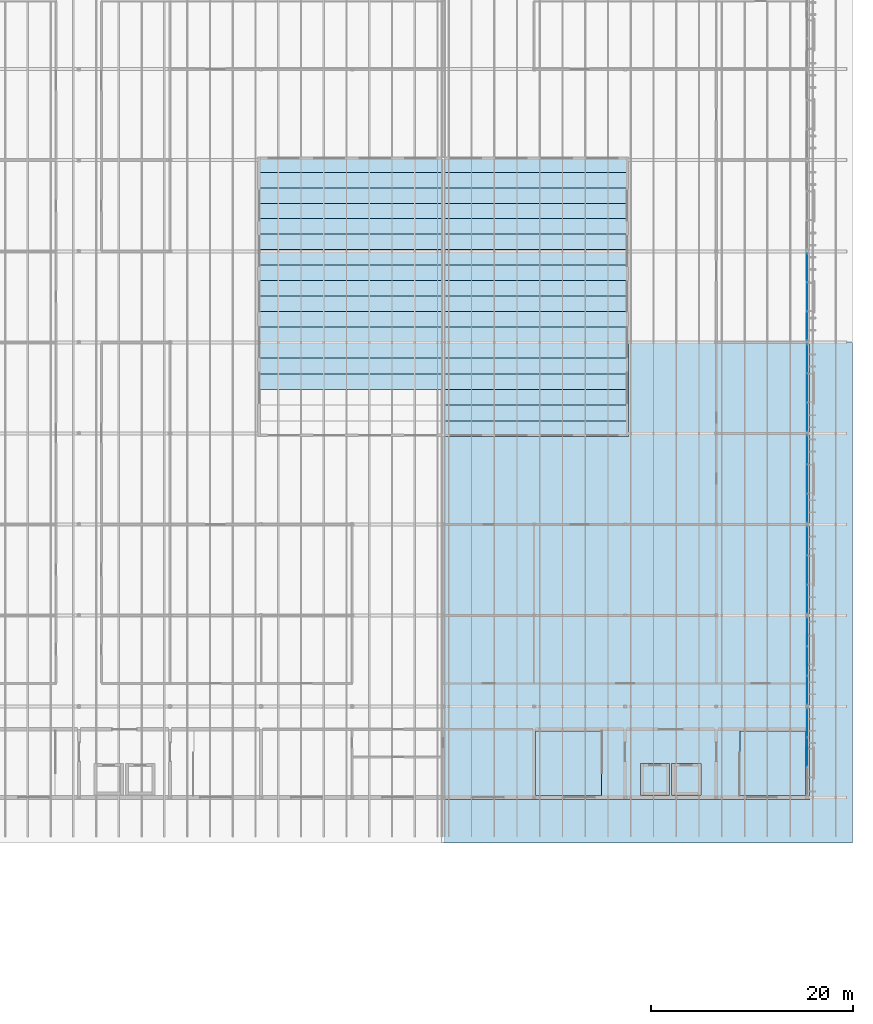
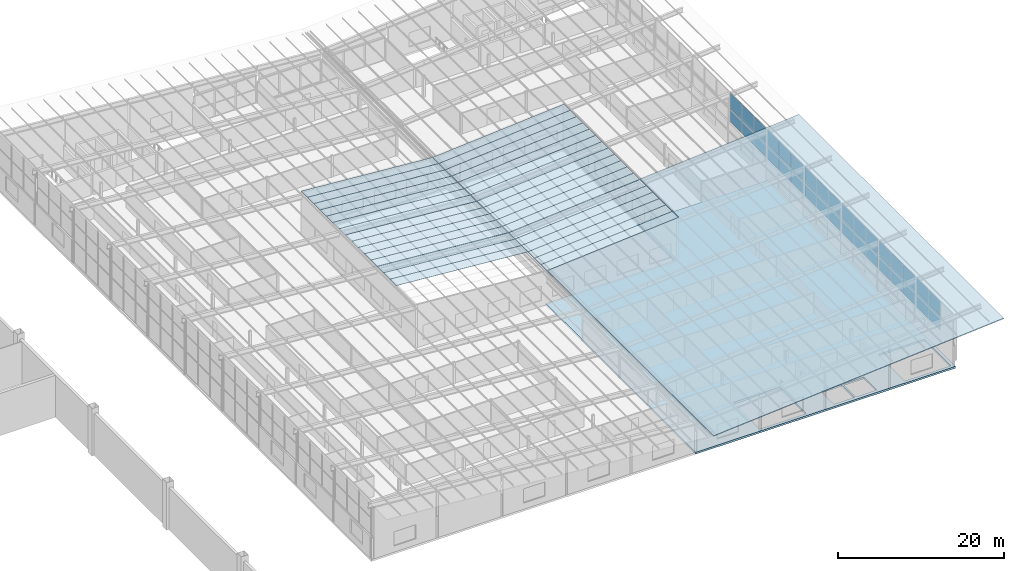
# One storey, part 67 of 85: 35 slabs, 34 plates, 6 elements without a shape of their own.
"""IFC4 building model written with IfcOpenShell, lengths in metres."""

from ifc_helpers import new_model, si_unit, direction, frame, origin, origin_2d, place, context, subcontext, project, spatial, polyline, rectangle, outline, extrude, material, layer, layer_set, type_object, element, aggregate, save


model = new_model("IFC4")

# Units and contexts
model_context = context("Model", 3, precision=1e-05, world=origin(), true_north=direction((0.0, 1.0)))
body_context = subcontext(model_context, "Body", "Model", "MODEL_VIEW")
ifc_project = project(units=[si_unit("LENGTHUNIT", "METRE"), si_unit("AREAUNIT", "SQUARE_METRE"), si_unit("VOLUMEUNIT", "CUBIC_METRE"), si_unit("PLANEANGLEUNIT", "RADIAN"), si_unit("MASSUNIT", "GRAM", prefix="KILO")], contexts=[model_context])

# Site, building, storey
site_placement = place(None, origin())
site = spatial("IfcSite", under=ifc_project, at=site_placement, CompositionType="ELEMENT")
building_placement = place(site_placement, origin())
building = spatial("IfcBuilding", under=site, at=building_placement, Name="Opaline Strait Convention Centre", CompositionType="ELEMENT")
storey_placement = place(building_placement, frame((0.0, 0.0, 17.0)))
storey = spatial("IfcBuildingStorey", under=building, at=storey_placement, Name="L03", CompositionType="ELEMENT", Elevation=17.0)

# Curtain wall, plates
ifc_material_1 = material(Name="Aluminium framed double glazing", Category="aluminium")
ifc_layer_1 = layer(ifc_material_1, 0.199951171875)
ifc_layer_set_1 = layer_set([ifc_layer_1], Name="Aluminium framed double glazing")
curtain_wall_type = type_object("IfcCurtainWallType", Name="Curtain wall 3000 module unitised", PredefinedType="NOTDEFINED", material=ifc_layer_set_1)
curtain_wall_1_placement = place(storey_placement, origin())
curtain_wall_1 = element("IfcCurtainWall", 1, at=curtain_wall_1_placement, inside=storey, type_object=curtain_wall_type, Name="Clerestory curtain wall E L03 41/L", PredefinedType="NOTDEFINED")
ifc_material_2 = material(Name="Double glazed unit low emissivity", Category="glass")
ifc_layer_2 = layer(ifc_material_2, 0.028076171875)
ifc_layer_set_2 = layer_set([ifc_layer_2], Name="Double glazed unit low emissivity")
plate_type = type_object("IfcPlateType", Name="Curtain wall glass panel 28", PredefinedType="CURTAIN_PANEL", material=ifc_layer_set_2)
plate_1_placement = place(storey_placement, frame((360.0, 94.5, 3.360107421875), z_axis=(0.0, 0.0, 1.0), x_axis=(0.0, 1.0, 0.0)))
plate_1 = element("IfcPlate", 2, at=plate_1_placement, type_object=plate_type, Name="MCWR1 panel 2.1", PredefinedType="CURTAIN_PANEL", context=body_context, shape_type="SweptSolid", body=[
    extrude(rectangle(XDim=2.840087890625, YDim=0.028076171875, at=origin_2d()), origin(), (0.0, 0.0, 1.0), 2.1279296875),
])
plate_2_placement = place(storey_placement, frame((360.0, 94.5, 5.5478515625), z_axis=(0.0, 0.0, 1.0), x_axis=(0.0, 1.0, 0.0)))
plate_2 = element("IfcPlate", 3, at=plate_2_placement, type_object=plate_type, Name="MCWR1 panel 2.2", PredefinedType="CURTAIN_PANEL", context=body_context, shape_type="SweptSolid", body=[
    extrude(rectangle(XDim=2.840087890625, YDim=0.028076171875, at=origin_2d()), origin(), (0.0, 0.0, 1.0), 2.128173828125),
])
plate_3_placement = place(storey_placement, frame((360.0, 97.385009765625, 3.360107421875), z_axis=(0.0, 0.0, 1.0), x_axis=(0.0, 1.0, 0.0)))
plate_3 = element("IfcPlate", 4, at=plate_3_placement, type_object=plate_type, Name="MCWR1 panel 3.1", PredefinedType="CURTAIN_PANEL", context=body_context, shape_type="SweptSolid", body=[
    extrude(rectangle(XDim=2.81005859375, YDim=0.028076171875, at=origin_2d()), origin(), (0.0, 0.0, 1.0), 2.1279296875),
])
plate_4_placement = place(storey_placement, frame((360.0, 97.385009765625, 5.5478515625), z_axis=(0.0, 0.0, 1.0), x_axis=(0.0, 1.0, 0.0)))
plate_4 = element("IfcPlate", 5, at=plate_4_placement, type_object=plate_type, Name="MCWR1 panel 3.2", PredefinedType="CURTAIN_PANEL", context=body_context, shape_type="SweptSolid", body=[
    extrude(rectangle(XDim=2.81005859375, YDim=0.028076171875, at=origin_2d()), origin(), (0.0, 0.0, 1.0), 2.128173828125),
])
aggregate(curtain_wall_1, [plate_1, plate_2, plate_3, plate_4])

curtain_wall_2_placement = place(storey_placement, origin())
curtain_wall_2 = element("IfcCurtainWall", 6, at=curtain_wall_2_placement, inside=storey, type_object=curtain_wall_type, Name="Clerestory curtain wall E L03 41/M", PredefinedType="NOTDEFINED")
plate_5_placement = place(storey_placement, frame((360.0, 100.614990234375, 3.360107421875), z_axis=(0.0, 0.0, 1.0), x_axis=(0.0, 1.0, 0.0)))
plate_5 = element("IfcPlate", 7, at=plate_5_placement, type_object=plate_type, Name="MCWR1 panel 1.1", PredefinedType="CURTAIN_PANEL", context=body_context, shape_type="SweptSolid", body=[
    extrude(rectangle(XDim=2.81005859375, YDim=0.028076171875, at=origin_2d()), origin(), (0.0, 0.0, 1.0), 2.1279296875),
])
plate_6_placement = place(storey_placement, frame((360.0, 100.614990234375, 5.5478515625), z_axis=(0.0, 0.0, 1.0), x_axis=(0.0, 1.0, 0.0)))
plate_6 = element("IfcPlate", 8, at=plate_6_placement, type_object=plate_type, Name="MCWR1 panel 1.2", PredefinedType="CURTAIN_PANEL", context=body_context, shape_type="SweptSolid", body=[
    extrude(rectangle(XDim=2.81005859375, YDim=0.028076171875, at=origin_2d()), origin(), (0.0, 0.0, 1.0), 2.128173828125),
])
plate_7_placement = place(storey_placement, frame((360.0, 103.5, 3.360107421875), z_axis=(0.0, 0.0, 1.0), x_axis=(0.0, 1.0, 0.0)))
plate_7 = element("IfcPlate", 9, at=plate_7_placement, type_object=plate_type, Name="MCWR1 panel 2.1", PredefinedType="CURTAIN_PANEL", context=body_context, shape_type="SweptSolid", body=[
    extrude(rectangle(XDim=2.840087890625, YDim=0.028076171875, at=origin_2d()), origin(), (0.0, 0.0, 1.0), 2.1279296875),
])
plate_8_placement = place(storey_placement, frame((360.0, 103.5, 5.5478515625), z_axis=(0.0, 0.0, 1.0), x_axis=(0.0, 1.0, 0.0)))
plate_8 = element("IfcPlate", 10, at=plate_8_placement, type_object=plate_type, Name="MCWR1 panel 2.2", PredefinedType="CURTAIN_PANEL", context=body_context, shape_type="SweptSolid", body=[
    extrude(rectangle(XDim=2.840087890625, YDim=0.028076171875, at=origin_2d()), origin(), (0.0, 0.0, 1.0), 2.128173828125),
])
plate_9_placement = place(storey_placement, frame((360.0, 106.385009765625, 3.360107421875), z_axis=(0.0, 0.0, 1.0), x_axis=(0.0, 1.0, 0.0)))
plate_9 = element("IfcPlate", 11, at=plate_9_placement, type_object=plate_type, Name="MCWR1 panel 3.1", PredefinedType="CURTAIN_PANEL", context=body_context, shape_type="SweptSolid", body=[
    extrude(rectangle(XDim=2.81005859375, YDim=0.028076171875, at=origin_2d()), origin(), (0.0, 0.0, 1.0), 2.1279296875),
])
plate_10_placement = place(storey_placement, frame((360.0, 106.385009765625, 5.5478515625), z_axis=(0.0, 0.0, 1.0), x_axis=(0.0, 1.0, 0.0)))
plate_10 = element("IfcPlate", 12, at=plate_10_placement, type_object=plate_type, Name="MCWR1 panel 3.2", PredefinedType="CURTAIN_PANEL", context=body_context, shape_type="SweptSolid", body=[
    extrude(rectangle(XDim=2.81005859375, YDim=0.028076171875, at=origin_2d()), origin(), (0.0, 0.0, 1.0), 2.128173828125),
])
aggregate(curtain_wall_2, [plate_5, plate_6, plate_7, plate_8, plate_9, plate_10])

curtain_wall_3_placement = place(storey_placement, origin())
curtain_wall_3 = element("IfcCurtainWall", 13, at=curtain_wall_3_placement, inside=storey, type_object=curtain_wall_type, Name="Clerestory curtain wall E L03 41/N", PredefinedType="NOTDEFINED")
plate_11_placement = place(storey_placement, frame((360.0, 109.614990234375, 3.360107421875), z_axis=(0.0, 0.0, 1.0), x_axis=(0.0, 1.0, 0.0)))
plate_11 = element("IfcPlate", 14, at=plate_11_placement, type_object=plate_type, Name="MCWR1 panel 1.1", PredefinedType="CURTAIN_PANEL", context=body_context, shape_type="SweptSolid", body=[
    extrude(rectangle(XDim=2.81005859375, YDim=0.028076171875, at=origin_2d()), origin(), (0.0, 0.0, 1.0), 2.1279296875),
])
plate_12_placement = place(storey_placement, frame((360.0, 109.614990234375, 5.5478515625), z_axis=(0.0, 0.0, 1.0), x_axis=(0.0, 1.0, 0.0)))
plate_12 = element("IfcPlate", 15, at=plate_12_placement, type_object=plate_type, Name="MCWR1 panel 1.2", PredefinedType="CURTAIN_PANEL", context=body_context, shape_type="SweptSolid", body=[
    extrude(rectangle(XDim=2.81005859375, YDim=0.028076171875, at=origin_2d()), origin(), (0.0, 0.0, 1.0), 2.128173828125),
])
plate_13_placement = place(storey_placement, frame((360.0, 112.5, 3.360107421875), z_axis=(0.0, 0.0, 1.0), x_axis=(0.0, 1.0, 0.0)))
plate_13 = element("IfcPlate", 16, at=plate_13_placement, type_object=plate_type, Name="MCWR1 panel 2.1", PredefinedType="CURTAIN_PANEL", context=body_context, shape_type="SweptSolid", body=[
    extrude(rectangle(XDim=2.840087890625, YDim=0.028076171875, at=origin_2d()), origin(), (0.0, 0.0, 1.0), 2.1279296875),
])
plate_14_placement = place(storey_placement, frame((360.0, 112.5, 5.5478515625), z_axis=(0.0, 0.0, 1.0), x_axis=(0.0, 1.0, 0.0)))
plate_14 = element("IfcPlate", 17, at=plate_14_placement, type_object=plate_type, Name="MCWR1 panel 2.2", PredefinedType="CURTAIN_PANEL", context=body_context, shape_type="SweptSolid", body=[
    extrude(rectangle(XDim=2.840087890625, YDim=0.028076171875, at=origin_2d()), origin(), (0.0, 0.0, 1.0), 2.128173828125),
])
plate_15_placement = place(storey_placement, frame((360.0, 115.385009765625, 3.360107421875), z_axis=(0.0, 0.0, 1.0), x_axis=(0.0, 1.0, 0.0)))
plate_15 = element("IfcPlate", 18, at=plate_15_placement, type_object=plate_type, Name="MCWR1 panel 3.1", PredefinedType="CURTAIN_PANEL", context=body_context, shape_type="SweptSolid", body=[
    extrude(rectangle(XDim=2.81005859375, YDim=0.028076171875, at=origin_2d()), origin(), (0.0, 0.0, 1.0), 2.1279296875),
])
plate_16_placement = place(storey_placement, frame((360.0, 115.385009765625, 5.5478515625), z_axis=(0.0, 0.0, 1.0), x_axis=(0.0, 1.0, 0.0)))
plate_16 = element("IfcPlate", 19, at=plate_16_placement, type_object=plate_type, Name="MCWR1 panel 3.2", PredefinedType="CURTAIN_PANEL", context=body_context, shape_type="SweptSolid", body=[
    extrude(rectangle(XDim=2.81005859375, YDim=0.028076171875, at=origin_2d()), origin(), (0.0, 0.0, 1.0), 2.128173828125),
])
aggregate(curtain_wall_3, [plate_11, plate_12, plate_13, plate_14, plate_15, plate_16])

curtain_wall_4_placement = place(storey_placement, origin())
curtain_wall_4 = element("IfcCurtainWall", 20, at=curtain_wall_4_placement, inside=storey, type_object=curtain_wall_type, Name="Clerestory curtain wall E L03 41/P", PredefinedType="NOTDEFINED")
plate_17_placement = place(storey_placement, frame((360.0, 118.614990234375, 3.360107421875), z_axis=(0.0, 0.0, 1.0), x_axis=(0.0, 1.0, 0.0)))
plate_17 = element("IfcPlate", 21, at=plate_17_placement, type_object=plate_type, Name="MCWR1 panel 1.1", PredefinedType="CURTAIN_PANEL", context=body_context, shape_type="SweptSolid", body=[
    extrude(rectangle(XDim=2.81005859375, YDim=0.028076171875, at=origin_2d()), origin(), (0.0, 0.0, 1.0), 2.1279296875),
])
plate_18_placement = place(storey_placement, frame((360.0, 118.614990234375, 5.5478515625), z_axis=(0.0, 0.0, 1.0), x_axis=(0.0, 1.0, 0.0)))
plate_18 = element("IfcPlate", 22, at=plate_18_placement, type_object=plate_type, Name="MCWR1 panel 1.2", PredefinedType="CURTAIN_PANEL", context=body_context, shape_type="SweptSolid", body=[
    extrude(rectangle(XDim=2.81005859375, YDim=0.028076171875, at=origin_2d()), origin(), (0.0, 0.0, 1.0), 2.128173828125),
])
plate_19_placement = place(storey_placement, frame((360.0, 121.5, 3.360107421875), z_axis=(0.0, 0.0, 1.0), x_axis=(0.0, 1.0, 0.0)))
plate_19 = element("IfcPlate", 23, at=plate_19_placement, type_object=plate_type, Name="MCWR1 panel 2.1", PredefinedType="CURTAIN_PANEL", context=body_context, shape_type="SweptSolid", body=[
    extrude(rectangle(XDim=2.840087890625, YDim=0.028076171875, at=origin_2d()), origin(), (0.0, 0.0, 1.0), 2.1279296875),
])
plate_20_placement = place(storey_placement, frame((360.0, 121.5, 5.5478515625), z_axis=(0.0, 0.0, 1.0), x_axis=(0.0, 1.0, 0.0)))
plate_20 = element("IfcPlate", 24, at=plate_20_placement, type_object=plate_type, Name="MCWR1 panel 2.2", PredefinedType="CURTAIN_PANEL", context=body_context, shape_type="SweptSolid", body=[
    extrude(rectangle(XDim=2.840087890625, YDim=0.028076171875, at=origin_2d()), origin(), (0.0, 0.0, 1.0), 2.128173828125),
])
plate_21_placement = place(storey_placement, frame((360.0, 124.385009765625, 3.360107421875), z_axis=(0.0, 0.0, 1.0), x_axis=(0.0, 1.0, 0.0)))
plate_21 = element("IfcPlate", 25, at=plate_21_placement, type_object=plate_type, Name="MCWR1 panel 3.1", PredefinedType="CURTAIN_PANEL", context=body_context, shape_type="SweptSolid", body=[
    extrude(rectangle(XDim=2.81005859375, YDim=0.028076171875, at=origin_2d()), origin(), (0.0, 0.0, 1.0), 2.1279296875),
])
plate_22_placement = place(storey_placement, frame((360.0, 124.385009765625, 5.5478515625), z_axis=(0.0, 0.0, 1.0), x_axis=(0.0, 1.0, 0.0)))
plate_22 = element("IfcPlate", 26, at=plate_22_placement, type_object=plate_type, Name="MCWR1 panel 3.2", PredefinedType="CURTAIN_PANEL", context=body_context, shape_type="SweptSolid", body=[
    extrude(rectangle(XDim=2.81005859375, YDim=0.028076171875, at=origin_2d()), origin(), (0.0, 0.0, 1.0), 2.128173828125),
])
aggregate(curtain_wall_4, [plate_17, plate_18, plate_19, plate_20, plate_21, plate_22])

curtain_wall_5_placement = place(storey_placement, origin())
curtain_wall_5 = element("IfcCurtainWall", 27, at=curtain_wall_5_placement, inside=storey, type_object=curtain_wall_type, Name="Clerestory curtain wall E L03 41/Q", PredefinedType="NOTDEFINED")
plate_23_placement = place(storey_placement, frame((360.0, 127.614990234375, 3.360107421875), z_axis=(0.0, 0.0, 1.0), x_axis=(0.0, 1.0, 0.0)))
plate_23 = element("IfcPlate", 28, at=plate_23_placement, type_object=plate_type, Name="MCWR1 panel 1.1", PredefinedType="CURTAIN_PANEL", context=body_context, shape_type="SweptSolid", body=[
    extrude(rectangle(XDim=2.81005859375, YDim=0.028076171875, at=origin_2d()), origin(), (0.0, 0.0, 1.0), 2.1279296875),
])
plate_24_placement = place(storey_placement, frame((360.0, 127.614990234375, 5.5478515625), z_axis=(0.0, 0.0, 1.0), x_axis=(0.0, 1.0, 0.0)))
plate_24 = element("IfcPlate", 29, at=plate_24_placement, type_object=plate_type, Name="MCWR1 panel 1.2", PredefinedType="CURTAIN_PANEL", context=body_context, shape_type="SweptSolid", body=[
    extrude(rectangle(XDim=2.81005859375, YDim=0.028076171875, at=origin_2d()), origin(), (0.0, 0.0, 1.0), 2.128173828125),
])
plate_25_placement = place(storey_placement, frame((360.0, 130.5, 3.360107421875), z_axis=(0.0, 0.0, 1.0), x_axis=(0.0, 1.0, 0.0)))
plate_25 = element("IfcPlate", 30, at=plate_25_placement, type_object=plate_type, Name="MCWR1 panel 2.1", PredefinedType="CURTAIN_PANEL", context=body_context, shape_type="SweptSolid", body=[
    extrude(rectangle(XDim=2.840087890625, YDim=0.028076171875, at=origin_2d()), origin(), (0.0, 0.0, 1.0), 2.1279296875),
])
plate_26_placement = place(storey_placement, frame((360.0, 130.5, 5.5478515625), z_axis=(0.0, 0.0, 1.0), x_axis=(0.0, 1.0, 0.0)))
plate_26 = element("IfcPlate", 31, at=plate_26_placement, type_object=plate_type, Name="MCWR1 panel 2.2", PredefinedType="CURTAIN_PANEL", context=body_context, shape_type="SweptSolid", body=[
    extrude(rectangle(XDim=2.840087890625, YDim=0.028076171875, at=origin_2d()), origin(), (0.0, 0.0, 1.0), 2.128173828125),
])
plate_27_placement = place(storey_placement, frame((360.0, 133.385009765625, 3.360107421875), z_axis=(0.0, 0.0, 1.0), x_axis=(0.0, 1.0, 0.0)))
plate_27 = element("IfcPlate", 32, at=plate_27_placement, type_object=plate_type, Name="MCWR1 panel 3.1", PredefinedType="CURTAIN_PANEL", context=body_context, shape_type="SweptSolid", body=[
    extrude(rectangle(XDim=2.81005859375, YDim=0.028076171875, at=origin_2d()), origin(), (0.0, 0.0, 1.0), 2.1279296875),
])
plate_28_placement = place(storey_placement, frame((360.0, 133.385009765625, 5.5478515625), z_axis=(0.0, 0.0, 1.0), x_axis=(0.0, 1.0, 0.0)))
plate_28 = element("IfcPlate", 33, at=plate_28_placement, type_object=plate_type, Name="MCWR1 panel 3.2", PredefinedType="CURTAIN_PANEL", context=body_context, shape_type="SweptSolid", body=[
    extrude(rectangle(XDim=2.81005859375, YDim=0.028076171875, at=origin_2d()), origin(), (0.0, 0.0, 1.0), 2.128173828125),
])
aggregate(curtain_wall_5, [plate_23, plate_24, plate_25, plate_26, plate_27, plate_28])

curtain_wall_6_placement = place(storey_placement, origin())
curtain_wall_6 = element("IfcCurtainWall", 34, at=curtain_wall_6_placement, inside=storey, type_object=curtain_wall_type, Name="Clerestory curtain wall E L03 41/R", PredefinedType="NOTDEFINED")
plate_29_placement = place(storey_placement, frame((360.0, 136.614990234375, 3.360107421875), z_axis=(0.0, 0.0, 1.0), x_axis=(0.0, 1.0, 0.0)))
plate_29 = element("IfcPlate", 35, at=plate_29_placement, type_object=plate_type, Name="MCWR1 panel 1.1", PredefinedType="CURTAIN_PANEL", context=body_context, shape_type="SweptSolid", body=[
    extrude(rectangle(XDim=2.81005859375, YDim=0.028076171875, at=origin_2d()), origin(), (0.0, 0.0, 1.0), 2.1279296875),
])
plate_30_placement = place(storey_placement, frame((360.0, 136.614990234375, 5.5478515625), z_axis=(0.0, 0.0, 1.0), x_axis=(0.0, 1.0, 0.0)))
plate_30 = element("IfcPlate", 36, at=plate_30_placement, type_object=plate_type, Name="MCWR1 panel 1.2", PredefinedType="CURTAIN_PANEL", context=body_context, shape_type="SweptSolid", body=[
    extrude(rectangle(XDim=2.81005859375, YDim=0.028076171875, at=origin_2d()), origin(), (0.0, 0.0, 1.0), 2.128173828125),
])
plate_31_placement = place(storey_placement, frame((360.0, 139.5, 3.360107421875), z_axis=(0.0, 0.0, 1.0), x_axis=(0.0, 1.0, 0.0)))
plate_31 = element("IfcPlate", 37, at=plate_31_placement, type_object=plate_type, Name="MCWR1 panel 2.1", PredefinedType="CURTAIN_PANEL", context=body_context, shape_type="SweptSolid", body=[
    extrude(rectangle(XDim=2.840087890625, YDim=0.028076171875, at=origin_2d()), origin(), (0.0, 0.0, 1.0), 2.1279296875),
])
plate_32_placement = place(storey_placement, frame((360.0, 139.5, 5.5478515625), z_axis=(0.0, 0.0, 1.0), x_axis=(0.0, 1.0, 0.0)))
plate_32 = element("IfcPlate", 38, at=plate_32_placement, type_object=plate_type, Name="MCWR1 panel 2.2", PredefinedType="CURTAIN_PANEL", context=body_context, shape_type="SweptSolid", body=[
    extrude(rectangle(XDim=2.840087890625, YDim=0.028076171875, at=origin_2d()), origin(), (0.0, 0.0, 1.0), 2.128173828125),
])
plate_33_placement = place(storey_placement, frame((360.0, 142.385009765625, 3.360107421875), z_axis=(0.0, 0.0, 1.0), x_axis=(0.0, 1.0, 0.0)))
plate_33 = element("IfcPlate", 39, at=plate_33_placement, type_object=plate_type, Name="MCWR1 panel 3.1", PredefinedType="CURTAIN_PANEL", context=body_context, shape_type="SweptSolid", body=[
    extrude(rectangle(XDim=2.81005859375, YDim=0.028076171875, at=origin_2d()), origin(), (0.0, 0.0, 1.0), 2.1279296875),
])
plate_34_placement = place(storey_placement, frame((360.0, 142.385009765625, 5.5478515625), z_axis=(0.0, 0.0, 1.0), x_axis=(0.0, 1.0, 0.0)))
plate_34 = element("IfcPlate", 40, at=plate_34_placement, type_object=plate_type, Name="MCWR1 panel 3.2", PredefinedType="CURTAIN_PANEL", context=body_context, shape_type="SweptSolid", body=[
    extrude(rectangle(XDim=2.81005859375, YDim=0.028076171875, at=origin_2d()), origin(), (0.0, 0.0, 1.0), 2.128173828125),
])
aggregate(curtain_wall_6, [plate_29, plate_30, plate_31, plate_32, plate_33, plate_34])

# Slabs
ifc_material_3 = material(Name="Concrete C35", Category="concrete")
ifc_layer_3 = layer(ifc_material_3, 0.280029296875)
ifc_layer_set_3 = layer_set([ifc_layer_3], Name="Concrete C35")
slab_type_1 = type_object("IfcSlabType", Name="RC floor slab 280 C35", PredefinedType="FLOOR", material=ifc_layer_set_3)
slab_1_placement = place(storey_placement, frame((0.0, 0.0, -0.280029296875)))
element("IfcSlab", 41, at=slab_1_placement, inside=storey, type_object=slab_type_1, Name="XS2 L03 slab pour SE", PredefinedType="FLOOR", context=body_context, shape_type="SweptSolid", body=[
    extrude(outline(polyline([(360.199951171875, 89.800048828125), (324.0, 89.800048828125), (324.0, 126.0), (342.0, 126.0), (342.0, 135.0), (360.199951171875, 135.0), (360.199951171875, 89.800048828125)]), holes=[polyline([(343.5, 93.35009765625), (343.5, 90.25), (346.39990234375, 90.25), (346.39990234375, 93.35009765625), (343.5, 93.35009765625)]), polyline([(346.60009765625, 93.35009765625), (346.60009765625, 90.25), (349.5, 90.25), (349.5, 93.35009765625), (346.60009765625, 93.35009765625)]), polyline([(353.3505859375, 96.599853515625), (353.3505859375, 90.199951171875), (359.7998046875, 90.199951171875), (359.7998046875, 96.599853515625), (353.3505859375, 96.599853515625)]), polyline([(333.150146484375, 96.60009765625), (333.150146484375, 90.2001953125), (339.6494140625, 90.2001953125), (339.6494140625, 96.60009765625), (333.150146484375, 96.60009765625)])]), origin(), (0.0, 0.0, 1.0), 0.280029296875),
])
ifc_material_4 = material(Name="Steel Q235-B", Category="steel")
ifc_layer_4 = layer(ifc_material_4, 0.0009765625)
ifc_material_5 = material(Name="Mineral wool insulation")
ifc_layer_5 = layer(ifc_material_5, 0.117919921875)
ifc_layer_6 = layer(ifc_material_4, 0.0009765625)
ifc_layer_set_4 = layer_set([ifc_layer_4, ifc_layer_5, ifc_layer_6], Name="Steel Q235-B, Mineral wool insulation, Steel Q235-B")
slab_type_2 = type_object("IfcSlabType", Name="Roof deck panel 120 steel Q235B", PredefinedType="ROOF", material=ifc_layer_set_4)
slab_2_placement = place(storey_placement, frame((364.47998046875, 85.52001953125, 8.208984375), z_axis=(-0.078459755759, -1.669628e-06, 0.996917281786), x_axis=(-0.996917281787, -1e-12, -0.078459755759)))
element("IfcSlab", 42, at=slab_2_placement, inside=storey, type_object=slab_type_2, Name="MRD1 roof deck E wing 1", PredefinedType="ROOF", context=body_context, shape_type="SweptSolid", body=[
    extrude(outline(polyline([(0.0, 0.0), (40.58507573273634, 0.0), (40.58507573268493, -40.13500976556906), (22.203446218354035, -40.135009765821266), (22.203446218342087, -49.45996093768327), (-6.335829687866887e-11, -49.45996093743106), (0.0, 0.0)])), origin(), (0.0, 0.0, -1.0), 0.1201171875),
])
ifc_layer_7 = layer(ifc_material_2, 0.0400390625)
ifc_layer_set_5 = layer_set([ifc_layer_7], Name="Double glazed unit low emissivity")
slab_type_3 = type_object("IfcSlabType", Name="Skylight glazing unit 40 laminated", PredefinedType="ROOF", material=ifc_layer_set_5)
for number, where, z_axis, x_axis, name in (
    (43, (305.695068359375, 130.33837890625, 6.383544921875), (0.078454275995, 0.0, 0.996917713043), (0.996917713043, 0.0, -0.078454275995), "MRG1 valley skylight W strip 4"),
    (44, (305.695068359375, 131.892578125, 6.383544921875), (0.078454275995, 0.0, 0.996917713043), (0.996917713043, 0.0, -0.078454275995), "MRG1 valley skylight W strip 5"),
):
    element("IfcSlab", number, at=place(storey_placement, frame(where, z_axis=z_axis, x_axis=x_axis)), inside=storey, type_object=slab_type_3, Name=name, PredefinedType="ROOF", context=body_context, shape_type="SweptSolid", body=[
        extrude(outline(polyline([(0.0, 0.0), (18.34144570826185, 0.0), (18.34144570826185, 1.55224609375), (0.0, 1.55224609375), (0.0, 0.0)])), origin(), (0.0, 0.0, -1.0), 0.0400390625),
    ])
slab_3_placement = place(storey_placement, frame((305.695068359375, 133.44677734375, 6.383544921875), z_axis=(0.078454275995, 0.0, 0.996917713043), x_axis=(0.996917713043, 0.0, -0.078454275995)))
element("IfcSlab", 45, at=slab_3_placement, inside=storey, type_object=slab_type_3, Name="MRG1 valley skylight W strip 6", PredefinedType="ROOF", context=body_context, shape_type="SweptSolid", body=[
    extrude(outline(polyline([(0.0, 0.0), (18.34144570826185, 0.0), (18.34144570826185, 1.5332031250000004), (0.0, 1.5332031250000004), (0.0, 0.0)])), origin(), (0.0, 0.0, -1.0), 0.0400390625),
])
slab_4_placement = place(storey_placement, frame((305.695068359375, 135.02001953125, 6.383544921875), z_axis=(0.078454275995, 0.0, 0.996917713043), x_axis=(0.996917713043, 0.0, -0.078454275995)))
element("IfcSlab", 46, at=slab_4_placement, inside=storey, type_object=slab_type_3, Name="MRG1 valley skylight W strip 7", PredefinedType="ROOF", context=body_context, shape_type="SweptSolid", body=[
    extrude(outline(polyline([(0.0, 0.0), (18.34144570826185, 0.0), (18.34144570826185, 1.5061035156250004), (0.0, 1.5061035156250004), (0.0, 0.0)])), origin(), (0.0, 0.0, -1.0), 0.0400390625),
])
for number, where, z_axis, x_axis, name in (
    (47, (305.695068359375, 136.528076171875, 6.383544921875), (0.078454275995, 0.0, 0.996917713043), (0.996917713043, 0.0, -0.078454275995), "MRG1 valley skylight W strip 8"),
    (48, (305.695068359375, 138.05517578125, 6.383544921875), (0.078454275995, 0.0, 0.996917713043), (0.996917713043, 0.0, -0.078454275995), "MRG1 valley skylight W strip 9"),
    (49, (305.695068359375, 139.582275390625, 6.383544921875), (0.078454275995, 0.0, 0.996917713043), (0.996917713043, 0.0, -0.078454275995), "MRG1 valley skylight W strip 10"),
    (50, (305.695068359375, 141.109375, 6.383544921875), (0.078454275995, 0.0, 0.996917713043), (0.996917713043, 0.0, -0.078454275995), "MRG1 valley skylight W strip 11"),
    (51, (305.695068359375, 142.636474609375, 6.383544921875), (0.078454275995, 0.0, 0.996917713043), (0.996917713043, 0.0, -0.078454275995), "MRG1 valley skylight W strip 12"),
):
    element("IfcSlab", number, at=place(storey_placement, frame(where, z_axis=z_axis, x_axis=x_axis)), inside=storey, type_object=slab_type_3, Name=name, PredefinedType="ROOF", context=body_context, shape_type="SweptSolid", body=[
        extrude(outline(polyline([(0.0, 0.0), (18.34144570826185, 0.0), (18.34144570826185, 1.5251464843750004), (0.0, 1.5251464843750004), (0.0, 0.0)])), origin(), (0.0, 0.0, -1.0), 0.0400390625),
    ])
for number, where, z_axis, x_axis, name in (
    (52, (305.695068359375, 144.16357421875, 6.383544921875), (0.078454275995, 0.0, 0.996917713043), (0.996917713043, 0.0, -0.078454275995), "MRG1 valley skylight W strip 13"),
    (53, (305.695068359375, 145.690673828125, 6.383544921875), (0.078454275995, 0.0, 0.996917713043), (0.996917713043, 0.0, -0.078454275995), "MRG1 valley skylight W strip 14"),
    (54, (305.695068359375, 147.2177734375, 6.383544921875), (0.078454275995, 0.0, 0.996917713043), (0.996917713043, 0.0, -0.078454275995), "MRG1 valley skylight W strip 15"),
):
    element("IfcSlab", number, at=place(storey_placement, frame(where, z_axis=z_axis, x_axis=x_axis)), inside=storey, type_object=slab_type_3, Name=name, PredefinedType="ROOF", context=body_context, shape_type="SweptSolid", body=[
        extrude(outline(polyline([(0.0, 0.0), (18.34144570826185, 0.0), (18.34144570826185, 1.5249023437500004), (0.0, 1.5249023437500004), (0.0, 0.0)])), origin(), (0.0, 0.0, -1.0), 0.0400390625),
    ])
for number, where, z_axis, x_axis, name in (
    (55, (305.695068359375, 148.74462890625, 6.383544921875), (0.078454275995, 0.0, 0.996917713043), (0.996917713043, 0.0, -0.078454275995), "MRG1 valley skylight W strip 16"),
    (56, (305.695068359375, 150.271728515625, 6.383544921875), (0.078454275995, 0.0, 0.996917713043), (0.996917713043, 0.0, -0.078454275995), "MRG1 valley skylight W strip 17"),
):
    element("IfcSlab", number, at=place(storey_placement, frame(where, z_axis=z_axis, x_axis=x_axis)), inside=storey, type_object=slab_type_3, Name=name, PredefinedType="ROOF", context=body_context, shape_type="SweptSolid", body=[
        extrude(outline(polyline([(0.0, 0.0), (18.34144570826185, 0.0), (18.34144570826185, 1.5251464843750004), (0.0, 1.5251464843750004), (0.0, 0.0)])), origin(), (0.0, 0.0, -1.0), 0.0400390625),
    ])
slab_5_placement = place(storey_placement, frame((305.695068359375, 151.798828125, 6.383544921875), z_axis=(0.078454275995, 0.0, 0.996917713043), x_axis=(0.996917713043, 0.0, -0.078454275995)))
element("IfcSlab", 57, at=slab_5_placement, inside=storey, type_object=slab_type_3, Name="MRG1 valley skylight W strip 18", PredefinedType="ROOF", context=body_context, shape_type="SweptSolid", body=[
    extrude(outline(polyline([(0.0, 0.0), (18.34144570826185, 0.0), (18.34144570826185, 1.5061035156250004), (0.0, 1.5061035156250004), (0.0, 0.0)])), origin(), (0.0, 0.0, -1.0), 0.0400390625),
])
slab_6_placement = place(storey_placement, frame((324.02001953125, 125.695068359375, 4.944580078125), z_axis=(-0.078454275995, 0.0, 0.996917713043), x_axis=(0.996917713043, 0.0, 0.078454275995)))
element("IfcSlab", 58, at=slab_6_placement, inside=storey, type_object=slab_type_3, Name="MRG1 valley skylight E strip 1", PredefinedType="ROOF", context=body_context, shape_type="SweptSolid", body=[
    extrude(outline(polyline([(0.0, 0.0), (18.34144570826185, 0.0), (18.34144570826185, 1.5332031250000004), (0.0, 1.5332031250000004), (0.0, 0.0)])), origin(), (0.0, 0.0, -1.0), 0.0400390625),
])
for number, where, z_axis, x_axis, name in (
    (59, (324.02001953125, 127.230224609375, 4.944580078125), (-0.078454275995, 0.0, 0.996917713043), (0.996917713043, 0.0, 0.078454275995), "MRG1 valley skylight E strip 2"),
    (60, (324.02001953125, 128.784423828125, 4.944580078125), (-0.078454275995, 0.0, 0.996917713043), (0.996917713043, 0.0, 0.078454275995), "MRG1 valley skylight E strip 3"),
):
    element("IfcSlab", number, at=place(storey_placement, frame(where, z_axis=z_axis, x_axis=x_axis)), inside=storey, type_object=slab_type_3, Name=name, PredefinedType="ROOF", context=body_context, shape_type="SweptSolid", body=[
        extrude(outline(polyline([(0.0, 0.0), (18.34144570826185, 0.0), (18.34144570826185, 1.5520019531250004), (0.0, 1.5520019531250004), (0.0, 0.0)])), origin(), (0.0, 0.0, -1.0), 0.0400390625),
    ])
for number, where, z_axis, x_axis, name in (
    (61, (324.02001953125, 130.33837890625, 4.944580078125), (-0.078454275995, 0.0, 0.996917713043), (0.996917713043, 0.0, 0.078454275995), "MRG1 valley skylight E strip 4"),
    (62, (324.02001953125, 131.892578125, 4.944580078125), (-0.078454275995, 0.0, 0.996917713043), (0.996917713043, 0.0, 0.078454275995), "MRG1 valley skylight E strip 5"),
):
    element("IfcSlab", number, at=place(storey_placement, frame(where, z_axis=z_axis, x_axis=x_axis)), inside=storey, type_object=slab_type_3, Name=name, PredefinedType="ROOF", context=body_context, shape_type="SweptSolid", body=[
        extrude(outline(polyline([(0.0, 0.0), (18.34144570826185, 0.0), (18.34144570826185, 1.55224609375), (0.0, 1.55224609375), (0.0, 0.0)])), origin(), (0.0, 0.0, -1.0), 0.0400390625),
    ])
slab_7_placement = place(storey_placement, frame((324.02001953125, 133.44677734375, 4.944580078125), z_axis=(-0.078454275995, 0.0, 0.996917713043), x_axis=(0.996917713043, 0.0, 0.078454275995)))
element("IfcSlab", 63, at=slab_7_placement, inside=storey, type_object=slab_type_3, Name="MRG1 valley skylight E strip 6", PredefinedType="ROOF", context=body_context, shape_type="SweptSolid", body=[
    extrude(outline(polyline([(0.0, 0.0), (18.34144570826185, 0.0), (18.34144570826185, 1.5332031250000004), (0.0, 1.5332031250000004), (0.0, 0.0)])), origin(), (0.0, 0.0, -1.0), 0.0400390625),
])
slab_8_placement = place(storey_placement, frame((324.02001953125, 135.02001953125, 4.944580078125), z_axis=(-0.078454275995, 0.0, 0.996917713043), x_axis=(0.996917713043, 0.0, 0.078454275995)))
element("IfcSlab", 64, at=slab_8_placement, inside=storey, type_object=slab_type_3, Name="MRG1 valley skylight E strip 7", PredefinedType="ROOF", context=body_context, shape_type="SweptSolid", body=[
    extrude(outline(polyline([(0.0, 0.0), (18.34144570826185, 0.0), (18.34144570826185, 1.5061035156250004), (0.0, 1.5061035156250004), (0.0, 0.0)])), origin(), (0.0, 0.0, -1.0), 0.0400390625),
])
for number, where, z_axis, x_axis, name in (
    (65, (324.02001953125, 136.528076171875, 4.944580078125), (-0.078454275995, 0.0, 0.996917713043), (0.996917713043, 0.0, 0.078454275995), "MRG1 valley skylight E strip 8"),
    (66, (324.02001953125, 138.05517578125, 4.944580078125), (-0.078454275995, 0.0, 0.996917713043), (0.996917713043, 0.0, 0.078454275995), "MRG1 valley skylight E strip 9"),
    (67, (324.02001953125, 139.582275390625, 4.944580078125), (-0.078454275995, 0.0, 0.996917713043), (0.996917713043, 0.0, 0.078454275995), "MRG1 valley skylight E strip 10"),
    (68, (324.02001953125, 141.109375, 4.944580078125), (-0.078454275995, 0.0, 0.996917713043), (0.996917713043, 0.0, 0.078454275995), "MRG1 valley skylight E strip 11"),
    (69, (324.02001953125, 142.636474609375, 4.944580078125), (-0.078454275995, 0.0, 0.996917713043), (0.996917713043, 0.0, 0.078454275995), "MRG1 valley skylight E strip 12"),
):
    element("IfcSlab", number, at=place(storey_placement, frame(where, z_axis=z_axis, x_axis=x_axis)), inside=storey, type_object=slab_type_3, Name=name, PredefinedType="ROOF", context=body_context, shape_type="SweptSolid", body=[
        extrude(outline(polyline([(0.0, 0.0), (18.34144570826185, 0.0), (18.34144570826185, 1.5251464843750004), (0.0, 1.5251464843750004), (0.0, 0.0)])), origin(), (0.0, 0.0, -1.0), 0.0400390625),
    ])
for number, where, z_axis, x_axis, name in (
    (70, (324.02001953125, 144.16357421875, 4.944580078125), (-0.078454275995, 0.0, 0.996917713043), (0.996917713043, 0.0, 0.078454275995), "MRG1 valley skylight E strip 13"),
    (71, (324.02001953125, 145.690673828125, 4.944580078125), (-0.078454275995, 0.0, 0.996917713043), (0.996917713043, 0.0, 0.078454275995), "MRG1 valley skylight E strip 14"),
    (72, (324.02001953125, 147.2177734375, 4.944580078125), (-0.078454275995, 0.0, 0.996917713043), (0.996917713043, 0.0, 0.078454275995), "MRG1 valley skylight E strip 15"),
):
    element("IfcSlab", number, at=place(storey_placement, frame(where, z_axis=z_axis, x_axis=x_axis)), inside=storey, type_object=slab_type_3, Name=name, PredefinedType="ROOF", context=body_context, shape_type="SweptSolid", body=[
        extrude(outline(polyline([(0.0, 0.0), (18.34144570826185, 0.0), (18.34144570826185, 1.5249023437500004), (0.0, 1.5249023437500004), (0.0, 0.0)])), origin(), (0.0, 0.0, -1.0), 0.0400390625),
    ])
for number, where, z_axis, x_axis, name in (
    (73, (324.02001953125, 148.74462890625, 4.944580078125), (-0.078454275995, 0.0, 0.996917713043), (0.996917713043, 0.0, 0.078454275995), "MRG1 valley skylight E strip 16"),
    (74, (324.02001953125, 150.271728515625, 4.944580078125), (-0.078454275995, 0.0, 0.996917713043), (0.996917713043, 0.0, 0.078454275995), "MRG1 valley skylight E strip 17"),
):
    element("IfcSlab", number, at=place(storey_placement, frame(where, z_axis=z_axis, x_axis=x_axis)), inside=storey, type_object=slab_type_3, Name=name, PredefinedType="ROOF", context=body_context, shape_type="SweptSolid", body=[
        extrude(outline(polyline([(0.0, 0.0), (18.34144570826185, 0.0), (18.34144570826185, 1.5251464843750004), (0.0, 1.5251464843750004), (0.0, 0.0)])), origin(), (0.0, 0.0, -1.0), 0.0400390625),
    ])
slab_9_placement = place(storey_placement, frame((324.02001953125, 151.798828125, 4.944580078125), z_axis=(-0.078454275995, 0.0, 0.996917713043), x_axis=(0.996917713043, 0.0, 0.078454275995)))
element("IfcSlab", 75, at=slab_9_placement, inside=storey, type_object=slab_type_3, Name="MRG1 valley skylight E strip 18", PredefinedType="ROOF", context=body_context, shape_type="SweptSolid", body=[
    extrude(outline(polyline([(0.0, 0.0), (18.34144570826185, 0.0), (18.34144570826185, 1.5061035156250004), (0.0, 1.5061035156250004), (0.0, 0.0)])), origin(), (0.0, 0.0, -1.0), 0.0400390625),
])

save(model, "model.ifc")
